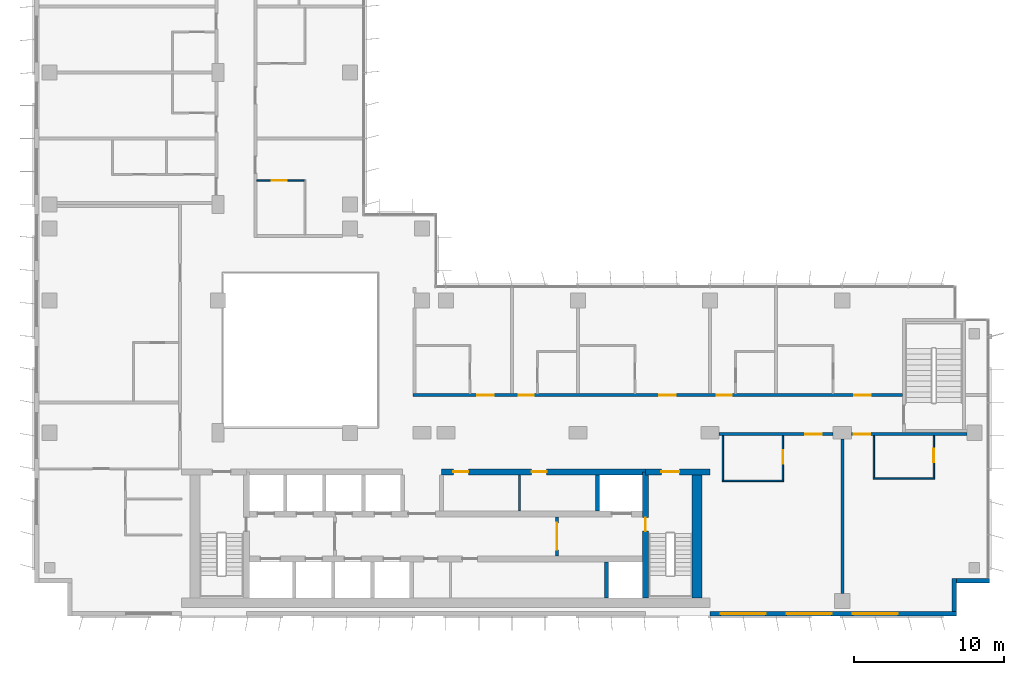
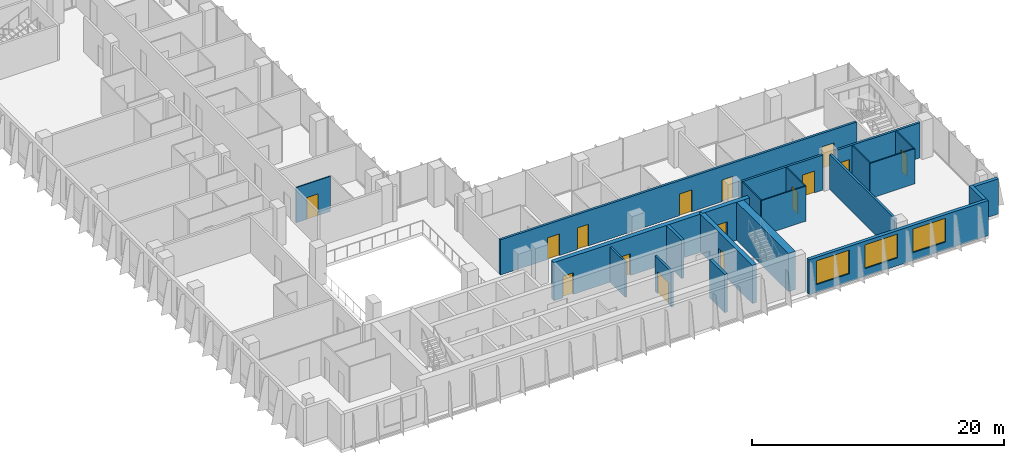
# One storey, part 14 of 21: 22 walls, 15 doors, 3 windows, 18 openings.
"""IFC4 building model written with IfcOpenShell, lengths in metres."""

from ifc_helpers import new_model, si_unit, direction, frame, frame_2d, origin, place, context, subcontext, project, spatial, rectangle, extrude, material, layer, layer_set, type_object, element, fill, save


model = new_model("IFC4")

# Units and contexts
model_context = context("Model", 3, precision=1e-05, world=origin(), true_north=direction((0.0, 1.0)))
body_context = subcontext(model_context, "Body", "Model", "MODEL_VIEW")
ifc_project = project(units=[si_unit("LENGTHUNIT", "METRE"), si_unit("AREAUNIT", "SQUARE_METRE"), si_unit("VOLUMEUNIT", "CUBIC_METRE"), si_unit("PLANEANGLEUNIT", "RADIAN"), si_unit("MASSUNIT", "GRAM", prefix="KILO")], contexts=[model_context])

# Site, building, storey
site_placement = place(None, origin())
site = spatial("IfcSite", under=ifc_project, at=site_placement, CompositionType="ELEMENT")
building_placement = place(site_placement, origin())
building = spatial("IfcBuilding", under=site, at=building_placement, Name="Kemantara Hotel Tower", CompositionType="ELEMENT")
storey_placement = place(building_placement, frame((0.0, 0.0, 160.5)))
storey = spatial("IfcBuildingStorey", under=building, at=storey_placement, Name="L39", CompositionType="ELEMENT", Elevation=160.5)

# Wall, openings, windows
ifc_material_1 = material(Name="Bronze anodised aluminium cladding on insulated steel stud wall", Category="steel")
ifc_layer_1 = layer(ifc_material_1, 0.300048828125)
ifc_layer_set_1 = layer_set([ifc_layer_1], Name="Bronze anodised aluminium cladding on insulated steel stud wall")
wall_type_1 = type_object("IfcWallType", Name="BRONZE METAL-CLAD EXTERNAL WALL 300", PredefinedType="STANDARD", material=ifc_layer_set_1)
wall_1_placement = place(storey_placement, frame((45.0, 0.14990234375, 0.0), z_axis=(0.0, 0.0, 1.0), x_axis=(1.0, 0.0, 0.0)))
wall_1 = element("IfcWall", 1, at=wall_1_placement, inside=storey, type_object=wall_type_1, Name="EXTERNAL WALL L39 T3-R08-3", PredefinedType="STANDARD", context=body_context, shape_type="SweptSolid", body=[
    extrude(rectangle(XDim=16.39990234375, YDim=0.300048828125, at=frame_2d((8.199951171875, 0.0))), origin(), (0.0, 0.0, 1.0), 3.39990234375),
])
opening_1_placement = place(wall_1_placement, frame((0.699951171875, 0.0, 0.75)))
opening_1 = element("IfcOpeningElement", 2, at=opening_1_placement, cuts=wall_1, Name="Opening W1", PredefinedType="OPENING", context=body_context, shape_type="SweptSolid", body=[
    extrude(rectangle(XDim=3.0, YDim=2.300048828125, at=frame_2d((1.5, 1.14990234375))), frame((0.0, 0.159912109375, 0.0), z_axis=(0.0, -1.0, 0.0), x_axis=(1.0, 0.0, 0.0)), (0.0, 0.0, 1.0), 0.320068359375),
])
opening_2_placement = place(wall_1_placement, frame((5.10009765625, 0.0, 0.75)))
opening_2 = element("IfcOpeningElement", 3, at=opening_2_placement, cuts=wall_1, Name="Opening W1", PredefinedType="OPENING", context=body_context, shape_type="SweptSolid", body=[
    extrude(rectangle(XDim=3.0, YDim=2.300048828125, at=frame_2d((1.5, 1.14990234375))), frame((0.0, 0.159912109375, 0.0), z_axis=(0.0, -1.0, 0.0), x_axis=(1.0, 0.0, 0.0)), (0.0, 0.0, 1.0), 0.320068359375),
])
opening_3_placement = place(wall_1_placement, frame((9.5, 0.0, 0.75)))
opening_3 = element("IfcOpeningElement", 4, at=opening_3_placement, cuts=wall_1, Name="Opening W1", PredefinedType="OPENING", context=body_context, shape_type="SweptSolid", body=[
    extrude(rectangle(XDim=3.0, YDim=2.300048828125, at=frame_2d((1.5, 1.14990234375))), frame((0.0, 0.159912109375, 0.0), z_axis=(0.0, -1.0, 0.0), x_axis=(1.0, 0.0, 0.0)), (0.0, 0.0, 1.0), 0.320068359375),
])
ifc_material_2 = material(Name="Low-E tinted double insulated glass in bronze anodised aluminium frame", Category="aluminium")
window_type = type_object("IfcWindowType", Name="CHICAGO WINDOW, TRIPLE PANEL 3000x2300", PartitioningType="TRIPLE_PANEL_VERTICAL", PredefinedType="WINDOW", material=ifc_material_2)
window_1_placement = place(opening_1_placement, origin())
window_1 = element("IfcWindow", 5, at=window_1_placement, inside=storey, type_object=window_type, Name="CHICAGO WINDOW L39 T3-R08-450", OverallHeight=2.300048828125, OverallWidth=3.0, PartitioningType="SINGLE_PANEL", PredefinedType="WINDOW", context=body_context, shape_type="SweptSolid", body=[
    extrude(rectangle(XDim=3.0, YDim=2.300048828125, at=frame_2d((1.5, 1.14990234375))), frame((0.0, 0.030029296875, 0.0), z_axis=(0.0, -1.0, 0.0), x_axis=(1.0, 0.0, 0.0)), (0.0, 0.0, 1.0), 0.06005859375),
])
fill(opening_1, window_1)
window_2_placement = place(opening_2_placement, origin())
window_2 = element("IfcWindow", 6, at=window_2_placement, inside=storey, type_object=window_type, Name="CHICAGO WINDOW L39 T3-R08-494", OverallHeight=2.300048828125, OverallWidth=3.0, PartitioningType="SINGLE_PANEL", PredefinedType="WINDOW", context=body_context, shape_type="SweptSolid", body=[
    extrude(rectangle(XDim=3.0, YDim=2.300048828125, at=frame_2d((1.5, 1.14990234375))), frame((0.0, 0.030029296875, 0.0), z_axis=(0.0, -1.0, 0.0), x_axis=(1.0, 0.0, 0.0)), (0.0, 0.0, 1.0), 0.06005859375),
])
fill(opening_2, window_2)
window_3_placement = place(opening_3_placement, origin())
window_3 = element("IfcWindow", 7, at=window_3_placement, inside=storey, type_object=window_type, Name="CHICAGO WINDOW L39 T3-R08-538", OverallHeight=2.300048828125, OverallWidth=3.0, PartitioningType="SINGLE_PANEL", PredefinedType="WINDOW", context=body_context, shape_type="SweptSolid", body=[
    extrude(rectangle(XDim=3.0, YDim=2.300048828125, at=frame_2d((1.5, 1.14990234375))), frame((0.0, 0.030029296875, 0.0), z_axis=(0.0, -1.0, 0.0), x_axis=(1.0, 0.0, 0.0)), (0.0, 0.0, 1.0), 0.06005859375),
])
fill(opening_3, window_3)

# Walls
wall_2_placement = place(storey_placement, frame((61.25, 0.300048828125, 0.0), z_axis=(0.0, 0.0, 1.0), x_axis=(0.0, 1.0, 0.0)))
element("IfcWall", 8, at=wall_2_placement, inside=storey, type_object=wall_type_1, Name="EXTERNAL WALL L39 T3-R09", PredefinedType="STANDARD", context=body_context, shape_type="SweptSolid", body=[
    extrude(rectangle(XDim=2.199951171875, YDim=0.300048828125, at=frame_2d((1.10009765625, 0.0))), origin(), (0.0, 0.0, 1.0), 3.39990234375),
])
wall_3_placement = place(storey_placement, frame((61.39990234375, 2.35009765625, 0.0), z_axis=(0.0, 0.0, 1.0), x_axis=(1.0, 0.0, 0.0)))
element("IfcWall", 9, at=wall_3_placement, inside=storey, type_object=wall_type_1, Name="EXTERNAL WALL L39 T3-R10", PredefinedType="STANDARD", context=body_context, shape_type="SweptSolid", body=[
    extrude(rectangle(XDim=2.2001953125, YDim=0.300048828125, at=frame_2d((1.10009765625, 0.0))), origin(), (0.0, 0.0, 1.0), 3.39990234375),
])
ifc_material_3 = material(Name="Concrete fc 60 MPa", Category="concrete")
ifc_layer_2 = layer(ifc_material_3, 0.25)
ifc_layer_set_2 = layer_set([ifc_layer_2], Name="Concrete fc 60 MPa")
wall_type_2 = type_object("IfcWallType", Name="CORE WALL 250 FC60", PredefinedType="SHEAR", material=ifc_layer_set_2)
wall_4_placement = place(storey_placement, frame((38.10009765625, 1.199951171875, 0.0), z_axis=(0.0, 0.0, 1.0), x_axis=(0.0, 1.0, 0.0)))
element("IfcWall", 10, at=wall_4_placement, inside=storey, type_object=wall_type_2, Name="CORE WALL CW-DS38.1", PredefinedType="SHEAR", context=body_context, shape_type="SweptSolid", body=[
    extrude(rectangle(XDim=2.400146484375, YDim=0.25, at=frame_2d((1.2001953125, 0.0))), origin(), (0.0, 0.0, 1.0), 3.699951171875),
])
wall_5_placement = place(storey_placement, frame((37.5, 7.0, 0.0), z_axis=(0.0, 0.0, 1.0), x_axis=(0.0, 1.0, 0.0)))
element("IfcWall", 11, at=wall_5_placement, inside=storey, type_object=wall_type_2, Name="CORE WALL CW-DN37.5", PredefinedType="SHEAR", context=body_context, shape_type="SweptSolid", body=[
    extrude(rectangle(XDim=2.39990234375, YDim=0.25, at=frame_2d((1.199951171875, 0.0))), origin(), (0.0, 0.0, 1.0), 3.699951171875),
])

# Wall, opening, door
ifc_layer_3 = layer(ifc_material_3, 0.39990234375)
ifc_layer_set_3 = layer_set([ifc_layer_3], Name="Concrete fc 60 MPa")
wall_type_3 = type_object("IfcWallType", Name="CORE WALL 400 FC60", PredefinedType="SHEAR", material=ifc_layer_set_3)
wall_6_placement = place(storey_placement, frame((40.699951171875, 9.60009765625, 0.0), z_axis=(0.0, 0.0, 1.0), x_axis=(1.0, 0.0, 0.0)))
wall_6 = element("IfcWall", 12, at=wall_6_placement, inside=storey, type_object=wall_type_3, Name="CORE WALL CW-N2", PredefinedType="SHEAR", context=body_context, shape_type="SweptSolid", body=[
    extrude(rectangle(XDim=4.300048828125, YDim=0.39990234375, at=frame_2d((2.14990234375, 0.0))), origin(), (0.0, 0.0, 1.0), 3.699951171875),
])
opening_4_placement = place(wall_6_placement, frame((1.050048828125, 0.0, 0.0)))
opening_4 = element("IfcOpeningElement", 13, at=opening_4_placement, cuts=wall_6, Name="Opening C25-ST2-C", PredefinedType="OPENING", context=body_context, shape_type="SweptSolid", body=[
    extrude(rectangle(XDim=1.199951171875, YDim=2.10009765625, at=frame_2d((0.60009765625, 1.050048828125))), frame((0.0, 0.2099609375, 0.0), z_axis=(0.0, -1.0, 0.0), x_axis=(1.0, 0.0, 0.0)), (0.0, 0.0, 1.0), 0.419921875),
])
ifc_material_4 = material(Name="Steel fire door", Category="steel")
door_type_1 = type_object("IfcDoorType", Name="Fire door FD90 1200 x 2100", OperationType="NOTDEFINED", PredefinedType="DOOR", material=ifc_material_4)
door_1_placement = place(opening_4_placement, frame((1.199951171875, 0.0, 0.0), z_axis=(0.0, 0.0, 1.0), x_axis=(-1.0, 0.0, 0.0)))
door_1 = element("IfcDoor", 14, at=door_1_placement, inside=storey, type_object=door_type_1, Name="Stair ST2 door to corridor", OperationType="SINGLE_SWING_RIGHT", OverallHeight=2.10009765625, OverallWidth=1.199951171875, PredefinedType="DOOR", context=body_context, shape_type="SweptSolid", body=[
    extrude(rectangle(XDim=1.199951171875, YDim=2.10009765625, at=frame_2d((0.60009765625, 1.050048828125))), frame((0.0, 0.02490234375, 0.0), z_axis=(0.0, -1.0, 0.0), x_axis=(1.0, 0.0, 0.0)), (0.0, 0.0, 1.0), 0.050048828125),
])
fill(opening_4, door_1)

# Wall, openings, doors
wall_7_placement = place(storey_placement, frame((27.10009765625, 9.60009765625, 0.0), z_axis=(0.0, 0.0, 1.0), x_axis=(1.0, 0.0, 0.0)))
wall_7 = element("IfcWall", 15, at=wall_7_placement, inside=storey, type_object=wall_type_3, Name="CORE WALL CW-NN2", PredefinedType="SHEAR", context=body_context, shape_type="SweptSolid", body=[
    extrude(rectangle(XDim=13.599853515625, YDim=0.39990234375, at=frame_2d((6.7998046875, 0.0))), origin(), (0.0, 0.0, 1.0), 3.699951171875),
])
opening_5_placement = place(wall_7_placement, frame((0.800048828125, 0.0, 0.0)))
opening_5 = element("IfcOpeningElement", 16, at=opening_5_placement, cuts=wall_7, Name="Opening C25-R-NE1", PredefinedType="OPENING", context=body_context, shape_type="SweptSolid", body=[
    extrude(rectangle(XDim=1.0, YDim=2.10009765625, at=frame_2d((0.5, 1.050048828125))), frame((0.0, 0.2099609375, 0.0), z_axis=(0.0, -1.0, 0.0), x_axis=(1.0, 0.0, 0.0)), (0.0, 0.0, 1.0), 0.419921875),
])
opening_6_placement = place(wall_7_placement, frame((6.0, 0.0, 0.0)))
opening_6 = element("IfcOpeningElement", 17, at=opening_6_placement, cuts=wall_7, Name="Opening C25-R-NE2", PredefinedType="OPENING", context=body_context, shape_type="SweptSolid", body=[
    extrude(rectangle(XDim=1.0, YDim=2.10009765625, at=frame_2d((0.5, 1.050048828125))), frame((0.0, 0.2099609375, 0.0), z_axis=(0.0, -1.0, 0.0), x_axis=(1.0, 0.0, 0.0)), (0.0, 0.0, 1.0), 0.419921875),
])
door_type_2 = type_object("IfcDoorType", Name="Fire door FD30S 1000 x 2100", OperationType="NOTDEFINED", PredefinedType="DOOR", material=ifc_material_4)
door_2_placement = place(opening_5_placement, frame((1.0, 0.0, 0.0), z_axis=(0.0, 0.0, 1.0), x_axis=(-1.0, 0.0, 0.0)))
door_2 = element("IfcDoor", 18, at=door_2_placement, inside=storey, type_object=door_type_2, Name="Housekeeping Store door", OperationType="SINGLE_SWING_RIGHT", OverallHeight=2.10009765625, OverallWidth=1.0, PredefinedType="DOOR", context=body_context, shape_type="SweptSolid", body=[
    extrude(rectangle(XDim=1.0, YDim=2.10009765625, at=frame_2d((0.5, 1.050048828125))), frame((0.0, 0.02490234375, 0.0), z_axis=(0.0, -1.0, 0.0), x_axis=(1.0, 0.0, 0.0)), (0.0, 0.0, 1.0), 0.050048828125),
])
fill(opening_5, door_2)
door_type_3 = type_object("IfcDoorType", Name="Fire door FD60 1000 x 2100", OperationType="NOTDEFINED", PredefinedType="DOOR", material=ifc_material_4)
door_3_placement = place(opening_6_placement, frame((1.0, 0.0, 0.0), z_axis=(0.0, 0.0, 1.0), x_axis=(-1.0, 0.0, 0.0)))
door_3 = element("IfcDoor", 19, at=door_3_placement, inside=storey, type_object=door_type_3, Name="It Equipment Room door", OperationType="SINGLE_SWING_RIGHT", OverallHeight=2.10009765625, OverallWidth=1.0, PredefinedType="DOOR", context=body_context, shape_type="SweptSolid", body=[
    extrude(rectangle(XDim=1.0, YDim=2.10009765625, at=frame_2d((0.5, 1.050048828125))), frame((0.0, 0.02490234375, 0.0), z_axis=(0.0, -1.0, 0.0), x_axis=(1.0, 0.0, 0.0)), (0.0, 0.0, 1.0), 0.050048828125),
])
fill(opening_6, door_3)

# Wall, opening, door
wall_8_placement = place(storey_placement, frame((40.699951171875, 1.199951171875, 0.0), z_axis=(0.0, 0.0, 1.0), x_axis=(0.0, 1.0, 0.0)))
wall_8 = element("IfcWall", 20, at=wall_8_placement, inside=storey, type_object=wall_type_3, Name="CORE WALL CW-ST2W", PredefinedType="SHEAR", context=body_context, shape_type="SweptSolid", body=[
    extrude(rectangle(XDim=8.400146484375, YDim=0.39990234375, at=frame_2d((4.2001953125, 0.0))), origin(), (0.0, 0.0, 1.0), 3.699951171875),
])
opening_7_placement = place(wall_8_placement, frame((4.449951171875, 0.0, 0.0)))
opening_7 = element("IfcOpeningElement", 21, at=opening_7_placement, cuts=wall_8, Name="Opening C25-ST2-F", PredefinedType="OPENING", context=body_context, shape_type="SweptSolid", body=[
    extrude(rectangle(XDim=0.89990234375, YDim=2.10009765625, at=frame_2d((0.449951171875, 1.050048828125))), frame((0.0, 0.2099609375, 0.0), z_axis=(0.0, -1.0, 0.0), x_axis=(1.0, 0.0, 0.0)), (0.0, 0.0, 1.0), 0.419921875),
])
door_type_4 = type_object("IfcDoorType", Name="Fire door FD90 900 x 2100", OperationType="NOTDEFINED", PredefinedType="DOOR", material=ifc_material_4)
door_4_placement = place(opening_7_placement, frame((0.89990234375, 0.0, 0.0), z_axis=(0.0, 0.0, 1.0), x_axis=(-1.0, 0.0, 0.0)))
door_4 = element("IfcDoor", 22, at=door_4_placement, inside=storey, type_object=door_type_4, Name="Stair ST2 door to firefighting lobby", OperationType="SINGLE_SWING_LEFT", OverallHeight=2.10009765625, OverallWidth=0.89990234375, PredefinedType="DOOR", context=body_context, shape_type="SweptSolid", body=[
    extrude(rectangle(XDim=0.89990234375, YDim=2.10009765625, at=frame_2d((0.449951171875, 1.050048828125))), frame((0.0, 0.02490234375, 0.0), z_axis=(0.0, -1.0, 0.0), x_axis=(1.0, 0.0, 0.0)), (0.0, 0.0, 1.0), 0.050048828125),
])
fill(opening_7, door_4)

# Wall
ifc_layer_4 = layer(ifc_material_3, 0.64990234375)
ifc_layer_set_4 = layer_set([ifc_layer_4], Name="Concrete fc 60 MPa")
wall_type_4 = type_object("IfcWallType", Name="CORE WALL 650 FC60", PredefinedType="SHEAR", material=ifc_layer_set_4)
wall_9_placement = place(storey_placement, frame((44.125, 1.199951171875, 0.0), z_axis=(0.0, 0.0, 1.0), x_axis=(0.0, 1.0, 0.0)))
element("IfcWall", 23, at=wall_9_placement, inside=storey, type_object=wall_type_4, Name="CORE WALL CW-E", PredefinedType="SHEAR", context=body_context, shape_type="SweptSolid", body=[
    extrude(rectangle(XDim=8.60009765625, YDim=0.64990234375, at=frame_2d((4.300048828125, 0.0))), origin(), (0.0, 0.0, 1.0), 3.699951171875),
])

# Wall, opening, door
ifc_material_5 = material(Name="Gypsum board partition, steel studs and mineral wool, 200 mm", Category="steel")
ifc_layer_5 = layer(ifc_material_5, 0.199951171875)
ifc_layer_set_5 = layer_set([ifc_layer_5], Name="Gypsum board partition, steel studs and mineral wool, 200 mm")
wall_type_5 = type_object("IfcWallType", Name="CORRIDOR WALL 200", PredefinedType="PARTITIONING", material=ifc_layer_set_5)
wall_10_placement = place(storey_placement, frame((53.199951171875, 12.10009765625, 0.0), z_axis=(0.0, 0.0, 1.0), x_axis=(-1.0, 0.0, 0.0)))
wall_10 = element("IfcWall", 24, at=wall_10_placement, inside=storey, type_object=wall_type_5, Name="CORRIDOR WALL 200 001", PredefinedType="PARTITIONING", context=body_context, shape_type="SweptSolid", body=[
    extrude(rectangle(XDim=7.599853515625, YDim=0.199951171875, at=frame_2d((3.7998046875, 0.0))), origin(), (0.0, 0.0, 1.0), 3.39990234375),
])
opening_8_placement = place(wall_10_placement, frame((0.75, 0.0, 0.0)))
opening_8 = element("IfcOpeningElement", 25, at=opening_8_placement, cuts=wall_10, Name="Opening F18-001", PredefinedType="OPENING", context=body_context, shape_type="SweptSolid", body=[
    extrude(rectangle(XDim=1.10009765625, YDim=2.10009765625, at=frame_2d((0.550048828125, 1.050048828125))), frame((0.0, 0.10986328125, 0.0), z_axis=(0.0, -1.0, 0.0), x_axis=(1.0, 0.0, 0.0)), (0.0, 0.0, 1.0), 0.219970703125),
])
ifc_material_6 = material(Name="Hardwood veneer door leaf with steel frame", Category="steel")
door_type_5 = type_object("IfcDoorType", Name="SUITE ENTRANCE DOOR 1100 X 2100 FD30S", OperationType="NOTDEFINED", PredefinedType="DOOR", material=ifc_material_6)
door_5_placement = place(opening_8_placement, origin())
door_5 = element("IfcDoor", 26, at=door_5_placement, inside=storey, type_object=door_type_5, Name="SUITE ENTRANCE DOOR F18-001", OperationType="SINGLE_SWING_LEFT", OverallHeight=2.10009765625, OverallWidth=1.10009765625, PredefinedType="DOOR", context=body_context, shape_type="SweptSolid", body=[
    extrude(rectangle(XDim=1.10009765625, YDim=2.10009765625, at=frame_2d((0.550048828125, 1.050048828125))), frame((0.0, 0.02490234375, 0.0), z_axis=(0.0, -1.0, 0.0), x_axis=(1.0, 0.0, 0.0)), (0.0, 0.0, 1.0), 0.050048828125),
])
fill(opening_8, door_5)

wall_11_placement = place(storey_placement, frame((62.099853515625, 12.10009765625, 0.0), z_axis=(0.0, 0.0, 1.0), x_axis=(-1.0, 0.0, 0.0)))
wall_11 = element("IfcWall", 27, at=wall_11_placement, inside=storey, type_object=wall_type_5, Name="CORRIDOR WALL 200 002", PredefinedType="PARTITIONING", context=body_context, shape_type="SweptSolid", body=[
    extrude(rectangle(XDim=7.69970703125, YDim=0.199951171875, at=frame_2d((3.849853515625, 0.0))), origin(), (0.0, 0.0, 1.0), 3.39990234375),
])
opening_9_placement = place(wall_11_placement, frame((6.449951171875, 0.0, 0.0)))
opening_9 = element("IfcOpeningElement", 28, at=opening_9_placement, cuts=wall_11, Name="Opening F18-003", PredefinedType="OPENING", context=body_context, shape_type="SweptSolid", body=[
    extrude(rectangle(XDim=1.10009765625, YDim=2.10009765625, at=frame_2d((0.550048828125, 1.050048828125))), frame((0.0, 0.10986328125, 0.0), z_axis=(0.0, -1.0, 0.0), x_axis=(1.0, 0.0, 0.0)), (0.0, 0.0, 1.0), 0.219970703125),
])
door_6_placement = place(opening_9_placement, origin())
door_6 = element("IfcDoor", 29, at=door_6_placement, inside=storey, type_object=door_type_5, Name="SUITE ENTRANCE DOOR F18-003", OperationType="SINGLE_SWING_LEFT", OverallHeight=2.10009765625, OverallWidth=1.10009765625, PredefinedType="DOOR", context=body_context, shape_type="SweptSolid", body=[
    extrude(rectangle(XDim=1.10009765625, YDim=2.10009765625, at=frame_2d((0.550048828125, 1.050048828125))), frame((0.0, 0.02490234375, 0.0), z_axis=(0.0, -1.0, 0.0), x_axis=(1.0, 0.0, 0.0)), (0.0, 0.0, 1.0), 0.050048828125),
])
fill(opening_9, door_6)

# Wall, openings, doors
wall_12_placement = place(storey_placement, frame((25.199951171875, 14.699951171875, 0.0), z_axis=(0.0, 0.0, 1.0), x_axis=(1.0, 0.0, 0.0)))
wall_12 = element("IfcWall", 30, at=wall_12_placement, inside=storey, type_object=wall_type_5, Name="CORRIDOR WALL 200 004", PredefinedType="PARTITIONING", context=body_context, shape_type="SweptSolid", body=[
    extrude(rectangle(XDim=32.60009765625, YDim=0.199951171875, at=frame_2d((16.300048828125, 0.0))), origin(), (0.0, 0.0, 1.0), 3.39990234375),
])
opening_10_placement = place(wall_12_placement, frame((4.300048828125, 0.0, 0.0)))
opening_10 = element("IfcOpeningElement", 31, at=opening_10_placement, cuts=wall_12, Name="Opening F18-005", PredefinedType="OPENING", context=body_context, shape_type="SweptSolid", body=[
    extrude(rectangle(XDim=1.10009765625, YDim=2.10009765625, at=frame_2d((0.550048828125, 1.050048828125))), frame((0.0, 0.10986328125, 0.0), z_axis=(0.0, -1.0, 0.0), x_axis=(1.0, 0.0, 0.0)), (0.0, 0.0, 1.0), 0.219970703125),
])
opening_11_placement = place(wall_12_placement, frame((7.050048828125, 0.0, 0.0)))
opening_11 = element("IfcOpeningElement", 32, at=opening_11_placement, cuts=wall_12, Name="Opening F18-007", PredefinedType="OPENING", context=body_context, shape_type="SweptSolid", body=[
    extrude(rectangle(XDim=1.0, YDim=2.10009765625, at=frame_2d((0.5, 1.050048828125))), frame((0.0, 0.10986328125, 0.0), z_axis=(0.0, -1.0, 0.0), x_axis=(1.0, 0.0, 0.0)), (0.0, 0.0, 1.0), 0.219970703125),
])
opening_12_placement = place(wall_12_placement, frame((16.39990234375, 0.0, 0.0)))
opening_12 = element("IfcOpeningElement", 33, at=opening_12_placement, cuts=wall_12, Name="Opening F18-009", PredefinedType="OPENING", context=body_context, shape_type="SweptSolid", body=[
    extrude(rectangle(XDim=1.10009765625, YDim=2.10009765625, at=frame_2d((0.550048828125, 1.050048828125))), frame((0.0, 0.10986328125, 0.0), z_axis=(0.0, -1.0, 0.0), x_axis=(1.0, 0.0, 0.0)), (0.0, 0.0, 1.0), 0.219970703125),
])
opening_13_placement = place(wall_12_placement, frame((20.25, 0.0, 0.0)))
opening_13 = element("IfcOpeningElement", 34, at=opening_13_placement, cuts=wall_12, Name="Opening F18-011", PredefinedType="OPENING", context=body_context, shape_type="SweptSolid", body=[
    extrude(rectangle(XDim=1.0, YDim=2.10009765625, at=frame_2d((0.5, 1.050048828125))), frame((0.0, 0.10986328125, 0.0), z_axis=(0.0, -1.0, 0.0), x_axis=(1.0, 0.0, 0.0)), (0.0, 0.0, 1.0), 0.219970703125),
])
opening_14_placement = place(wall_12_placement, frame((29.39990234375, 0.0, 0.0)))
opening_14 = element("IfcOpeningElement", 35, at=opening_14_placement, cuts=wall_12, Name="Opening F18-013", PredefinedType="OPENING", context=body_context, shape_type="SweptSolid", body=[
    extrude(rectangle(XDim=1.10009765625, YDim=2.10009765625, at=frame_2d((0.550048828125, 1.050048828125))), frame((0.0, 0.10986328125, 0.0), z_axis=(0.0, -1.0, 0.0), x_axis=(1.0, 0.0, 0.0)), (0.0, 0.0, 1.0), 0.219970703125),
])
door_type_6 = type_object("IfcDoorType", Name="GUEST ROOM DOOR 1000 X 2100 FD30S", OperationType="NOTDEFINED", PredefinedType="DOOR", material=ifc_material_6)
door_7_placement = place(opening_11_placement, origin())
door_7 = element("IfcDoor", 36, at=door_7_placement, inside=storey, type_object=door_type_6, Name="GUEST ROOM DOOR F18-007", OperationType="SINGLE_SWING_LEFT", OverallHeight=2.10009765625, OverallWidth=1.0, PredefinedType="DOOR", context=body_context, shape_type="SweptSolid", body=[
    extrude(rectangle(XDim=1.0, YDim=2.10009765625, at=frame_2d((0.5, 1.050048828125))), frame((0.0, 0.02490234375, 0.0), z_axis=(0.0, -1.0, 0.0), x_axis=(1.0, 0.0, 0.0)), (0.0, 0.0, 1.0), 0.050048828125),
])
fill(opening_11, door_7)
door_8_placement = place(opening_13_placement, origin())
door_8 = element("IfcDoor", 37, at=door_8_placement, inside=storey, type_object=door_type_6, Name="GUEST ROOM DOOR F18-011", OperationType="SINGLE_SWING_LEFT", OverallHeight=2.10009765625, OverallWidth=1.0, PredefinedType="DOOR", context=body_context, shape_type="SweptSolid", body=[
    extrude(rectangle(XDim=1.0, YDim=2.10009765625, at=frame_2d((0.5, 1.050048828125))), frame((0.0, 0.02490234375, 0.0), z_axis=(0.0, -1.0, 0.0), x_axis=(1.0, 0.0, 0.0)), (0.0, 0.0, 1.0), 0.050048828125),
])
fill(opening_13, door_8)
door_type_7 = type_object("IfcDoorType", Name="GUEST ROOM DOOR 1100 X 2100 FD30S", OperationType="NOTDEFINED", PredefinedType="DOOR", material=ifc_material_6)
door_9_placement = place(opening_10_placement, origin())
door_9 = element("IfcDoor", 38, at=door_9_placement, inside=storey, type_object=door_type_7, Name="GUEST ROOM DOOR F18-005", OperationType="SINGLE_SWING_RIGHT", OverallHeight=2.10009765625, OverallWidth=1.10009765625, PredefinedType="DOOR", context=body_context, shape_type="SweptSolid", body=[
    extrude(rectangle(XDim=1.10009765625, YDim=2.10009765625, at=frame_2d((0.550048828125, 1.050048828125))), frame((0.0, 0.02490234375, 0.0), z_axis=(0.0, -1.0, 0.0), x_axis=(1.0, 0.0, 0.0)), (0.0, 0.0, 1.0), 0.050048828125),
])
fill(opening_10, door_9)
door_10_placement = place(opening_12_placement, origin())
door_10 = element("IfcDoor", 39, at=door_10_placement, inside=storey, type_object=door_type_7, Name="GUEST ROOM DOOR F18-009", OperationType="SINGLE_SWING_RIGHT", OverallHeight=2.10009765625, OverallWidth=1.10009765625, PredefinedType="DOOR", context=body_context, shape_type="SweptSolid", body=[
    extrude(rectangle(XDim=1.10009765625, YDim=2.10009765625, at=frame_2d((0.550048828125, 1.050048828125))), frame((0.0, 0.02490234375, 0.0), z_axis=(0.0, -1.0, 0.0), x_axis=(1.0, 0.0, 0.0)), (0.0, 0.0, 1.0), 0.050048828125),
])
fill(opening_12, door_10)
door_11_placement = place(opening_14_placement, origin())
door_11 = element("IfcDoor", 40, at=door_11_placement, inside=storey, type_object=door_type_7, Name="GUEST ROOM DOOR F18-013", OperationType="SINGLE_SWING_RIGHT", OverallHeight=2.10009765625, OverallWidth=1.10009765625, PredefinedType="DOOR", context=body_context, shape_type="SweptSolid", body=[
    extrude(rectangle(XDim=1.10009765625, YDim=2.10009765625, at=frame_2d((0.550048828125, 1.050048828125))), frame((0.0, 0.02490234375, 0.0), z_axis=(0.0, -1.0, 0.0), x_axis=(1.0, 0.0, 0.0)), (0.0, 0.0, 1.0), 0.050048828125),
])
fill(opening_14, door_11)

# Walls
ifc_layer_6 = layer(ifc_material_5, 0.199951171875)
ifc_layer_set_6 = layer_set([ifc_layer_6], Name="Gypsum board partition, steel studs and mineral wool, 200 mm")
wall_type_6 = type_object("IfcWallType", Name="GUEST ROOM PARTY WALL 200", PredefinedType="PARTITIONING", material=ifc_layer_set_6)
wall_13_placement = place(storey_placement, frame((53.800048828125, 1.5, 0.0), z_axis=(0.0, 0.0, 1.0), x_axis=(0.0, 1.0, 0.0)))
element("IfcWall", 41, at=wall_13_placement, inside=storey, type_object=wall_type_6, Name="GUEST ROOM PARTY WALL 200 003", PredefinedType="PARTITIONING", context=body_context, shape_type="SweptSolid", body=[
    extrude(rectangle(XDim=10.2998046875, YDim=0.199951171875, at=frame_2d((5.14990234375, 0.0))), origin(), (0.0, 0.0, 1.0), 3.39990234375),
])
ifc_material_7 = material(Name="Gypsum board partition")
ifc_layer_7 = layer(ifc_material_7, 0.14990234375)
ifc_layer_set_7 = layer_set([ifc_layer_7], Name="Gypsum board partition")
wall_type_7 = type_object("IfcWallType", Name="Gypsum board partition 150 mm", PredefinedType="PARTITIONING", material=ifc_layer_set_7)
wall_14_placement = place(storey_placement, frame((32.300048828125, 7.0, 0.0), z_axis=(0.0, 0.0, 1.0), x_axis=(0.0, 1.0, 0.0)))
element("IfcWall", 42, at=wall_14_placement, inside=storey, type_object=wall_type_7, Name="Core room partition", PredefinedType="PARTITIONING", context=body_context, shape_type="SweptSolid", body=[
    extrude(rectangle(XDim=2.39990234375, YDim=0.14990234375, at=frame_2d((1.199951171875, 0.0))), origin(), (0.0, 0.0, 1.0), 3.39990234375),
])

# Wall, opening, door
ifc_material_8 = material(Name="Gypsum board shaft wall")
ifc_layer_8 = layer(ifc_material_8, 0.199951171875)
ifc_layer_set_8 = layer_set([ifc_layer_8], Name="Gypsum board shaft wall")
wall_type_8 = type_object("IfcWallType", Name="Gypsum board shaft wall 200 mm", PredefinedType="PARTITIONING", material=ifc_layer_set_8)
wall_15_placement = place(storey_placement, frame((34.800048828125, 4.0, 0.0), z_axis=(0.0, 0.0, 1.0), x_axis=(0.0, 1.0, 0.0)))
wall_15 = element("IfcWall", 43, at=wall_15_placement, inside=storey, type_object=wall_type_8, Name="Firefighting lobby partition east", PredefinedType="PARTITIONING", context=body_context, shape_type="SweptSolid", body=[
    extrude(rectangle(XDim=2.60009765625, YDim=0.199951171875, at=frame_2d((1.300048828125, 0.0))), origin(), (0.0, 0.0, 1.0), 3.39990234375),
])
opening_15_placement = place(wall_15_placement, frame((0.39990234375, 0.0, 0.0)))
opening_15 = element("IfcOpeningElement", 44, at=opening_15_placement, cuts=wall_15, Name="Opening C25-FFE", PredefinedType="OPENING", context=body_context, shape_type="SweptSolid", body=[
    extrude(rectangle(XDim=1.800048828125, YDim=2.10009765625, at=frame_2d((0.89990234375, 1.050048828125))), frame((0.0, 0.10986328125, 0.0), z_axis=(0.0, -1.0, 0.0), x_axis=(1.0, 0.0, 0.0)), (0.0, 0.0, 1.0), 0.219970703125),
])
door_type_8 = type_object("IfcDoorType", Name="Fire door pair FD60 1800 x 2100", OperationType="DOUBLE_DOOR_SINGLE_SWING", PredefinedType="DOOR", material=ifc_material_4)
door_12_placement = place(opening_15_placement, frame((1.800048828125, 0.0, 0.0), z_axis=(0.0, 0.0, 1.0), x_axis=(-1.0, 0.0, 0.0)))
door_12 = element("IfcDoor", 45, at=door_12_placement, inside=storey, type_object=door_type_8, Name="Firefighting lobby door east", OperationType="DOUBLE_DOOR_SINGLE_SWING", OverallHeight=2.10009765625, OverallWidth=1.800048828125, PredefinedType="DOOR", context=body_context, shape_type="SweptSolid", body=[
    extrude(rectangle(XDim=1.800048828125, YDim=2.10009765625, at=frame_2d((0.89990234375, 1.050048828125))), frame((0.0, 0.02490234375, 0.0), z_axis=(0.0, -1.0, 0.0), x_axis=(1.0, 0.0, 0.0)), (0.0, 0.0, 1.0), 0.050048828125),
])
fill(opening_15, door_12)

# Walls
ifc_material_9 = material(Name="Gypsum board partition on steel studs, 100 mm", Category="steel")
ifc_layer_9 = layer(ifc_material_9, 0.10009765625)
ifc_layer_set_9 = layer_set([ifc_layer_9], Name="Gypsum board partition on steel studs, 100 mm")
wall_type_9 = type_object("IfcWallType", Name="ROOM PARTITION 100", PredefinedType="PARTITIONING", material=ifc_layer_set_9)
wall_16_placement = place(storey_placement, frame((45.800048828125, 9.0, 0.0), z_axis=(0.0, 0.0, 1.0), x_axis=(1.0, 0.0, 0.0)))
element("IfcWall", 46, at=wall_16_placement, inside=storey, type_object=wall_type_9, Name="ROOM PARTITION 100 032", PredefinedType="PARTITIONING", context=body_context, shape_type="SweptSolid", body=[
    extrude(rectangle(XDim=4.099853515625, YDim=0.10009765625, at=frame_2d((2.0498046875, 0.0))), origin(), (0.0, 0.0, 1.0), 3.39990234375),
])
wall_17_placement = place(storey_placement, frame((45.85009765625, 9.050048828125, 0.0), z_axis=(0.0, 0.0, 1.0), x_axis=(0.0, 1.0, 0.0)))
element("IfcWall", 47, at=wall_17_placement, inside=storey, type_object=wall_type_9, Name="ROOM PARTITION 100 033", PredefinedType="PARTITIONING", context=body_context, shape_type="SweptSolid", body=[
    extrude(rectangle(XDim=2.949951171875, YDim=0.10009765625, at=frame_2d((1.47509765625, 0.0))), origin(), (0.0, 0.0, 1.0), 3.39990234375),
])

# Wall, opening, door
wall_18_placement = place(storey_placement, frame((49.85009765625, 9.050048828125, 0.0), z_axis=(0.0, 0.0, 1.0), x_axis=(0.0, 1.0, 0.0)))
wall_18 = element("IfcWall", 48, at=wall_18_placement, inside=storey, type_object=wall_type_9, Name="ROOM PARTITION 100 034", PredefinedType="PARTITIONING", context=body_context, shape_type="SweptSolid", body=[
    extrude(rectangle(XDim=2.949951171875, YDim=0.10009765625, at=frame_2d((1.47509765625, 0.0))), origin(), (0.0, 0.0, 1.0), 3.39990234375),
])
opening_16_placement = place(wall_18_placement, frame((1.10009765625, 0.0, 0.0)))
opening_16 = element("IfcOpeningElement", 49, at=opening_16_placement, cuts=wall_18, Name="Opening F18-002", PredefinedType="OPENING", context=body_context, shape_type="SweptSolid", body=[
    extrude(rectangle(XDim=0.89990234375, YDim=2.10009765625, at=frame_2d((0.449951171875, 1.050048828125))), frame((0.0, 0.06005859375, 0.0), z_axis=(0.0, -1.0, 0.0), x_axis=(1.0, 0.0, 0.0)), (0.0, 0.0, 1.0), 0.1201171875),
])
door_type_9 = type_object("IfcDoorType", Name="BATHROOM DOOR 900 X 2100", OperationType="NOTDEFINED", PredefinedType="DOOR", material=ifc_material_6)
door_13_placement = place(opening_16_placement, origin())
door_13 = element("IfcDoor", 50, at=door_13_placement, inside=storey, type_object=door_type_9, Name="BATHROOM DOOR F18-002", OperationType="SINGLE_SWING_RIGHT", OverallHeight=2.10009765625, OverallWidth=0.89990234375, PredefinedType="DOOR", context=body_context, shape_type="SweptSolid", body=[
    extrude(rectangle(XDim=0.89990234375, YDim=2.10009765625, at=frame_2d((0.449951171875, 1.050048828125))), frame((0.0, 0.02490234375, 0.0), z_axis=(0.0, -1.0, 0.0), x_axis=(1.0, 0.0, 0.0)), (0.0, 0.0, 1.0), 0.050048828125),
])
fill(opening_16, door_13)

# Walls
wall_19_placement = place(storey_placement, frame((55.85009765625, 9.14990234375, 0.0), z_axis=(0.0, 0.0, 1.0), x_axis=(1.0, 0.0, 0.0)))
element("IfcWall", 51, at=wall_19_placement, inside=storey, type_object=wall_type_9, Name="ROOM PARTITION 100 035", PredefinedType="PARTITIONING", context=body_context, shape_type="SweptSolid", body=[
    extrude(rectangle(XDim=4.099853515625, YDim=0.10009765625, at=frame_2d((2.0498046875, 0.0))), origin(), (0.0, 0.0, 1.0), 3.39990234375),
])
wall_20_placement = place(storey_placement, frame((55.89990234375, 9.199951171875, 0.0), z_axis=(0.0, 0.0, 1.0), x_axis=(0.0, 1.0, 0.0)))
element("IfcWall", 52, at=wall_20_placement, inside=storey, type_object=wall_type_9, Name="ROOM PARTITION 100 036", PredefinedType="PARTITIONING", context=body_context, shape_type="SweptSolid", body=[
    extrude(rectangle(XDim=2.800048828125, YDim=0.10009765625, at=frame_2d((1.39990234375, 0.0))), origin(), (0.0, 0.0, 1.0), 3.39990234375),
])

# Wall, opening, door
wall_21_placement = place(storey_placement, frame((59.89990234375, 9.199951171875, 0.0), z_axis=(0.0, 0.0, 1.0), x_axis=(0.0, 1.0, 0.0)))
wall_21 = element("IfcWall", 53, at=wall_21_placement, inside=storey, type_object=wall_type_9, Name="ROOM PARTITION 100 037", PredefinedType="PARTITIONING", context=body_context, shape_type="SweptSolid", body=[
    extrude(rectangle(XDim=2.800048828125, YDim=0.10009765625, at=frame_2d((1.39990234375, 0.0))), origin(), (0.0, 0.0, 1.0), 3.39990234375),
])
opening_17_placement = place(wall_21_placement, frame((1.050048828125, 0.0, 0.0)))
opening_17 = element("IfcOpeningElement", 54, at=opening_17_placement, cuts=wall_21, Name="Opening F18-004", PredefinedType="OPENING", context=body_context, shape_type="SweptSolid", body=[
    extrude(rectangle(XDim=0.89990234375, YDim=2.10009765625, at=frame_2d((0.449951171875, 1.050048828125))), frame((0.0, 0.06005859375, 0.0), z_axis=(0.0, -1.0, 0.0), x_axis=(1.0, 0.0, 0.0)), (0.0, 0.0, 1.0), 0.1201171875),
])
door_14_placement = place(opening_17_placement, origin())
door_14 = element("IfcDoor", 55, at=door_14_placement, inside=storey, type_object=door_type_9, Name="BATHROOM DOOR F18-004", OperationType="SINGLE_SWING_RIGHT", OverallHeight=2.10009765625, OverallWidth=0.89990234375, PredefinedType="DOOR", context=body_context, shape_type="SweptSolid", body=[
    extrude(rectangle(XDim=0.89990234375, YDim=2.10009765625, at=frame_2d((0.449951171875, 1.050048828125))), frame((0.0, 0.02490234375, 0.0), z_axis=(0.0, -1.0, 0.0), x_axis=(1.0, 0.0, 0.0)), (0.0, 0.0, 1.0), 0.050048828125),
])
fill(opening_17, door_14)

wall_22_placement = place(storey_placement, frame((17.949951171875, 29.0, 0.0), z_axis=(0.0, 0.0, 1.0), x_axis=(-1.0, 0.0, 0.0)))
wall_22 = element("IfcWall", 56, at=wall_22_placement, inside=storey, type_object=wall_type_9, Name="ROOM PARTITION 100 068", PredefinedType="PARTITIONING", context=body_context, shape_type="SweptSolid", body=[
    extrude(rectangle(XDim=3.14990234375, YDim=0.10009765625, at=frame_2d((1.574951171875, 0.0))), origin(), (0.0, 0.0, 1.0), 3.39990234375),
])
opening_18_placement = place(wall_22_placement, frame((1.14990234375, 0.0, 0.0)))
opening_18 = element("IfcOpeningElement", 57, at=opening_18_placement, cuts=wall_22, Name="Opening F18-033", PredefinedType="OPENING", context=body_context, shape_type="SweptSolid", body=[
    extrude(rectangle(XDim=1.0, YDim=2.10009765625, at=frame_2d((0.5, 1.050048828125))), frame((0.0, 0.06005859375, 0.0), z_axis=(0.0, -1.0, 0.0), x_axis=(1.0, 0.0, 0.0)), (0.0, 0.0, 1.0), 0.1201171875),
])
door_type_10 = type_object("IfcDoorType", Name="BATHROOM DOOR 1000 X 2100", OperationType="NOTDEFINED", PredefinedType="DOOR", material=ifc_material_6)
door_15_placement = place(opening_18_placement, origin())
door_15 = element("IfcDoor", 58, at=door_15_placement, inside=storey, type_object=door_type_10, Name="BATHROOM DOOR F18-033", OperationType="SINGLE_SWING_RIGHT", OverallHeight=2.10009765625, OverallWidth=1.0, PredefinedType="DOOR", context=body_context, shape_type="SweptSolid", body=[
    extrude(rectangle(XDim=1.0, YDim=2.10009765625, at=frame_2d((0.5, 1.050048828125))), frame((0.0, 0.02490234375, 0.0), z_axis=(0.0, -1.0, 0.0), x_axis=(1.0, 0.0, 0.0)), (0.0, 0.0, 1.0), 0.050048828125),
])
fill(opening_18, door_15)

save(model, "model.ifc")
